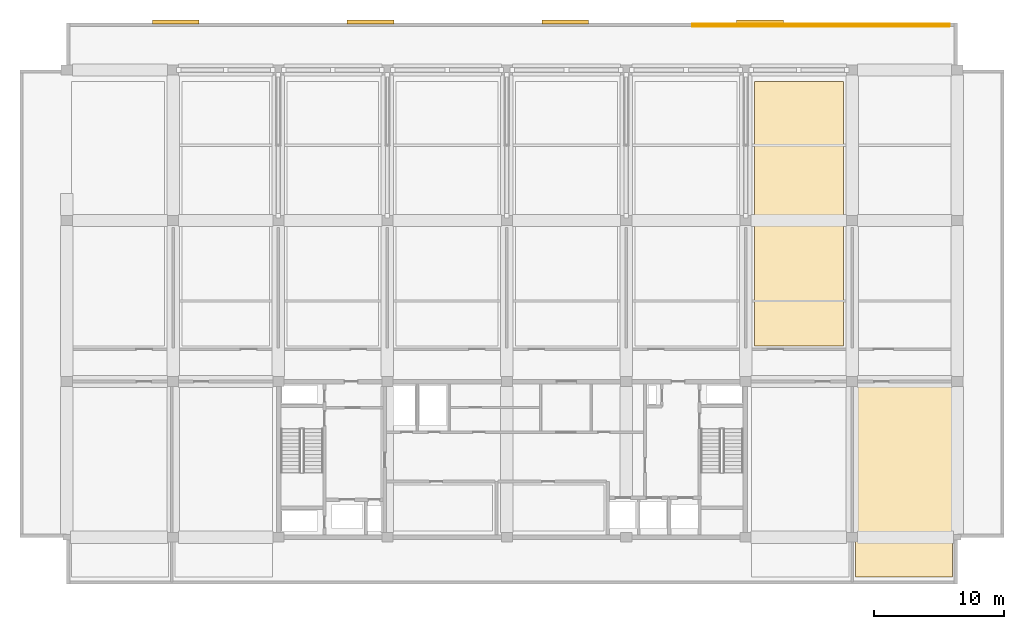
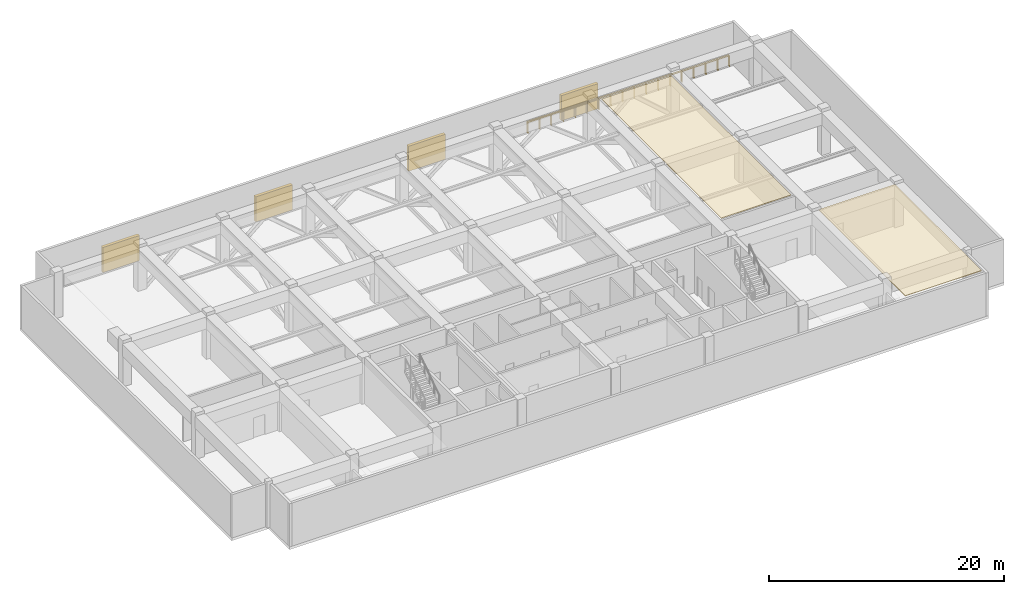
# One storey, part 11 of 11: 4 shading devices, 2 coverings, 2 railings.
"""IFC4 building model written with IfcOpenShell, lengths in metres."""

from ifc_helpers import new_model, si_unit, direction, frame, origin, origin_2d, place, context, subcontext, project, spatial, polyline, rectangle, circle, outline, extrude, material, layer, layer_set, type_object, element, save


model = new_model("IFC4")

# Units and contexts
model_context = context("Model", 3, precision=1e-05, world=origin(), true_north=direction((0.0, 1.0)))
body_context = subcontext(model_context, "Body", "Model", "MODEL_VIEW")
ifc_project = project(units=[si_unit("LENGTHUNIT", "METRE"), si_unit("AREAUNIT", "SQUARE_METRE"), si_unit("VOLUMEUNIT", "CUBIC_METRE"), si_unit("PLANEANGLEUNIT", "RADIAN"), si_unit("MASSUNIT", "GRAM", prefix="KILO")], contexts=[model_context])

# Site, building, storey
site_placement = place(None, origin())
site = spatial("IfcSite", under=ifc_project, at=site_placement, CompositionType="ELEMENT")
building_placement = place(site_placement, origin())
building = spatial("IfcBuilding", under=site, at=building_placement, Name="Korimba Cascade Residences", CompositionType="ELEMENT")
storey_placement = place(building_placement, frame((0.0, 0.0, 223.85009765625)))
storey = spatial("IfcBuildingStorey", under=building, at=storey_placement, Name="L65", CompositionType="ELEMENT", Elevation=223.85009765625)

# Coverings
ifc_material_1 = material(Name="Mineral Wool Thermal Acoustic Insulation", Category="insulation")
ifc_layer = layer(ifc_material_1, 0.06005859375)
ifc_layer_set = layer_set([ifc_layer], Name="Mineral Wool Thermal Acoustic Insulation")
covering_type = type_object("IfcCoveringType", Name="COV-INS-60", PredefinedType="INSULATION", material=ifc_layer_set)
covering_1_placement = place(storey_placement, frame((0.0, 0.0, 4.419921875)))
element("IfcCovering", 1, at=covering_1_placement, inside=storey, type_object=covering_type, Name="L65 Mineral Wool Acoustic Soffit Insulation L65-PL17", PredefinedType="INSULATION", context=body_context, shape_type="SweptSolid", body=[
    extrude(outline(polyline([(112.77001953125, 69.949951171875), (119.6298828125, 69.949951171875), (119.6298828125, 90.300048828125), (112.77001953125, 90.300048828125), (112.77001953125, 69.949951171875)])), origin(), (0.0, 0.0, 1.0), 0.06005859375),
])
covering_2_placement = place(storey_placement, frame((0.0, 0.0, 4.419921875)))
element("IfcCovering", 2, at=covering_2_placement, inside=storey, type_object=covering_type, Name="L65 Mineral Wool Acoustic Soffit Insulation L65-RWE2", PredefinedType="INSULATION", context=body_context, shape_type="SweptSolid", body=[
    extrude(outline(polyline([(120.550048828125, 52.14990234375), (128.050048828125, 52.14990234375), (128.050048828125, 66.89990234375), (120.550048828125, 66.89990234375), (120.550048828125, 52.14990234375)])), origin(), (0.0, 0.0, 1.0), 0.06005859375),
])

# Railings
ifc_material_2 = material(Name="Painted Galvanised Steel Terrace Guardrail", Category="steel")
railing_type = type_object("IfcRailingType", Name="RLG-TER-1150", PredefinedType="GUARDRAIL", material=ifc_material_2)
railing_1_placement = place(storey_placement, frame((108.0, 94.72998046875, 0.0)))
element("IfcRailing", 3, at=railing_1_placement, inside=storey, type_object=railing_type, Name="L65 Perimeter Guardrail RLG-L65-T1-REF-01", PredefinedType="GUARDRAIL", context=body_context, shape_type="SweptSolid", body=[
    extrude(circle(Radius=0.02392578125, at=origin_2d()), frame((0.0, 0.0, 1.1259765625), z_axis=(1.0, 0.0, 0.0), x_axis=(0.0, 1.0, 0.0)), (0.0, 0.0, 1.0), 19.800048828125),
    extrude(circle(Radius=0.02099609375, at=origin_2d()), origin(), (0.0, 0.0, 1.0), 1.101806640625),
    extrude(circle(Radius=0.02099609375, at=origin_2d()), frame((1.164794921875, 0.0, 0.0)), (0.0, 0.0, 1.0), 1.101806640625),
    extrude(circle(Radius=0.02099609375, at=origin_2d()), frame((2.329345703125, 0.0, 0.0)), (0.0, 0.0, 1.0), 1.101806640625),
    extrude(circle(Radius=0.02099609375, at=origin_2d()), frame((3.494140625, 0.0, 0.0)), (0.0, 0.0, 1.0), 1.101806640625),
    extrude(circle(Radius=0.02099609375, at=origin_2d()), frame((4.658935546875, 0.0, 0.0)), (0.0, 0.0, 1.0), 1.101806640625),
    extrude(circle(Radius=0.02099609375, at=origin_2d()), frame((5.823486328125, 0.0, 0.0)), (0.0, 0.0, 1.0), 1.101806640625),
    extrude(circle(Radius=0.02099609375, at=origin_2d()), frame((6.98828125, 0.0, 0.0)), (0.0, 0.0, 1.0), 1.101806640625),
    extrude(circle(Radius=0.02099609375, at=origin_2d()), frame((8.153076171875, 0.0, 0.0)), (0.0, 0.0, 1.0), 1.101806640625),
    extrude(circle(Radius=0.02099609375, at=origin_2d()), frame((9.317626953125, 0.0, 0.0)), (0.0, 0.0, 1.0), 1.101806640625),
    extrude(circle(Radius=0.02099609375, at=origin_2d()), frame((10.482421875, 0.0, 0.0)), (0.0, 0.0, 1.0), 1.101806640625),
    extrude(circle(Radius=0.02099609375, at=origin_2d()), frame((11.64697265625, 0.0, 0.0)), (0.0, 0.0, 1.0), 1.101806640625),
    extrude(circle(Radius=0.02099609375, at=origin_2d()), frame((12.811767578125, 0.0, 0.0)), (0.0, 0.0, 1.0), 1.101806640625),
    extrude(circle(Radius=0.02099609375, at=origin_2d()), frame((13.9765625, 0.0, 0.0)), (0.0, 0.0, 1.0), 1.101806640625),
    extrude(circle(Radius=0.02099609375, at=origin_2d()), frame((15.14111328125, 0.0, 0.0)), (0.0, 0.0, 1.0), 1.101806640625),
    extrude(circle(Radius=0.02099609375, at=origin_2d()), frame((16.305908203125, 0.0, 0.0)), (0.0, 0.0, 1.0), 1.101806640625),
    extrude(circle(Radius=0.02099609375, at=origin_2d()), frame((17.470703125, 0.0, 0.0)), (0.0, 0.0, 1.0), 1.101806640625),
    extrude(circle(Radius=0.02099609375, at=origin_2d()), frame((18.63525390625, 0.0, 0.0)), (0.0, 0.0, 1.0), 1.101806640625),
    extrude(circle(Radius=0.02099609375, at=origin_2d()), frame((19.800048828125, 0.0, 0.0)), (0.0, 0.0, 1.0), 1.101806640625),
])
railing_2_placement = place(storey_placement, frame((127.800048828125, 94.570068359375, 0.0)))
element("IfcRailing", 4, at=railing_2_placement, inside=storey, type_object=railing_type, Name="L65 Perimeter Guardrail RLG-L65-T1-REF-02", PredefinedType="GUARDRAIL", context=body_context, shape_type="SweptSolid", body=[
    extrude(circle(Radius=0.02392578125, at=origin_2d()), frame((0.0, 0.0, 1.1259765625), z_axis=(-1.0, 0.0, 0.0), x_axis=(0.0, -1.0, 0.0)), (0.0, 0.0, 1.0), 19.800048828125),
    extrude(circle(Radius=0.02099609375, at=origin_2d()), origin(), (0.0, 0.0, 1.0), 1.101806640625),
    extrude(circle(Radius=0.02099609375, at=origin_2d()), frame((-1.164794921875, 0.0, 0.0)), (0.0, 0.0, 1.0), 1.101806640625),
    extrude(circle(Radius=0.02099609375, at=origin_2d()), frame((-2.329345703125, 0.0, 0.0)), (0.0, 0.0, 1.0), 1.101806640625),
    extrude(circle(Radius=0.02099609375, at=origin_2d()), frame((-3.494140625, 0.0, 0.0)), (0.0, 0.0, 1.0), 1.101806640625),
    extrude(circle(Radius=0.02099609375, at=origin_2d()), frame((-4.658935546875, 0.0, 0.0)), (0.0, 0.0, 1.0), 1.101806640625),
    extrude(circle(Radius=0.02099609375, at=origin_2d()), frame((-5.823486328125, 0.0, 0.0)), (0.0, 0.0, 1.0), 1.101806640625),
    extrude(circle(Radius=0.02099609375, at=origin_2d()), frame((-6.98828125, 0.0, 0.0)), (0.0, 0.0, 1.0), 1.101806640625),
    extrude(circle(Radius=0.02099609375, at=origin_2d()), frame((-8.153076171875, 0.0, 0.0)), (0.0, 0.0, 1.0), 1.101806640625),
    extrude(circle(Radius=0.02099609375, at=origin_2d()), frame((-9.317626953125, 0.0, 0.0)), (0.0, 0.0, 1.0), 1.101806640625),
    extrude(circle(Radius=0.02099609375, at=origin_2d()), frame((-10.482421875, 0.0, 0.0)), (0.0, 0.0, 1.0), 1.101806640625),
    extrude(circle(Radius=0.02099609375, at=origin_2d()), frame((-11.64697265625, 0.0, 0.0)), (0.0, 0.0, 1.0), 1.101806640625),
    extrude(circle(Radius=0.02099609375, at=origin_2d()), frame((-12.811767578125, 0.0, 0.0)), (0.0, 0.0, 1.0), 1.101806640625),
    extrude(circle(Radius=0.02099609375, at=origin_2d()), frame((-13.9765625, 0.0, 0.0)), (0.0, 0.0, 1.0), 1.101806640625),
    extrude(circle(Radius=0.02099609375, at=origin_2d()), frame((-15.14111328125, 0.0, 0.0)), (0.0, 0.0, 1.0), 1.101806640625),
    extrude(circle(Radius=0.02099609375, at=origin_2d()), frame((-16.305908203125, 0.0, 0.0)), (0.0, 0.0, 1.0), 1.101806640625),
    extrude(circle(Radius=0.02099609375, at=origin_2d()), frame((-17.470703125, 0.0, 0.0)), (0.0, 0.0, 1.0), 1.101806640625),
    extrude(circle(Radius=0.02099609375, at=origin_2d()), frame((-18.63525390625, 0.0, 0.0)), (0.0, 0.0, 1.0), 1.101806640625),
    extrude(circle(Radius=0.02099609375, at=origin_2d()), frame((-19.800048828125, 0.0, 0.0)), (0.0, 0.0, 1.0), 1.101806640625),
])

# Shading devices
ifc_material_3 = material(Name="Powder-Coated Bronze Acoustic Louvre Bank", Category="aluminium")
shading_device_type = type_object("IfcShadingDeviceType", Name="SHD-LVR-300", PredefinedType="USERDEFINED", material=ifc_material_3)
for number, where, z_axis, x_axis, name in (
    (5, (68.199951171875, 94.89990234375, -0.000244140625), (0.0, 0.0, 1.0), (1.0, 0.0, 0.0), "L65 T1 Plant Acoustic Louvre 1"),
    (6, (83.199951171875, 94.89990234375, -0.000244140625), (0.0, 0.0, 1.0), (1.0, 0.0, 0.0), "L65 T1 Plant Acoustic Louvre 2"),
    (7, (98.199951171875, 94.89990234375, -0.000244140625), (0.0, 0.0, 1.0), (1.0, 0.0, 0.0), "L65 T1 Plant Acoustic Louvre 3"),
    (8, (113.199951171875, 94.89990234375, -0.000244140625), (0.0, 0.0, 1.0), (1.0, 0.0, 0.0), "L65 T1 Plant Acoustic Louvre 4"),
):
    element("IfcShadingDevice", number, at=place(storey_placement, frame(where, z_axis=z_axis, x_axis=x_axis)), inside=storey, type_object=shading_device_type, Name=name, ObjectType="LOUVRE", PredefinedType="USERDEFINED", context=body_context, shape_type="SweptSolid", body=[
        extrude(rectangle(XDim=3.60009765625, YDim=0.300048828125, at=origin_2d()), origin(), (0.0, 0.0, 1.0), 2.60009765625),
    ])

save(model, "model.ifc")
